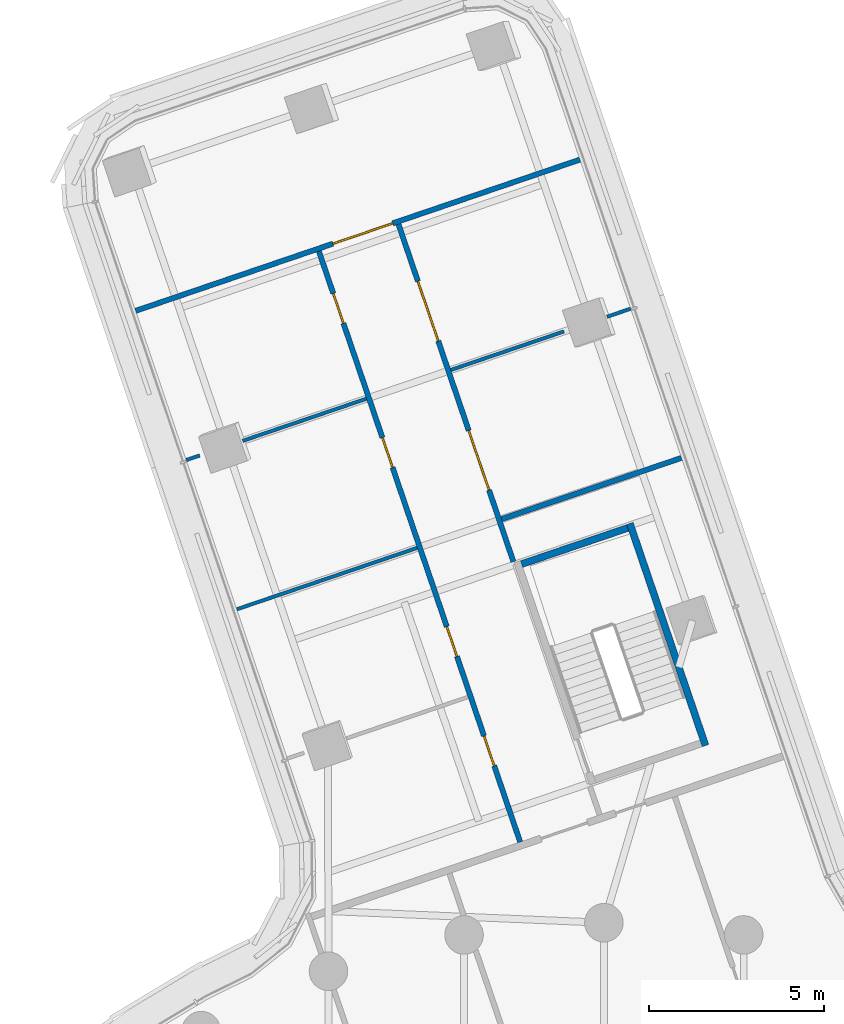
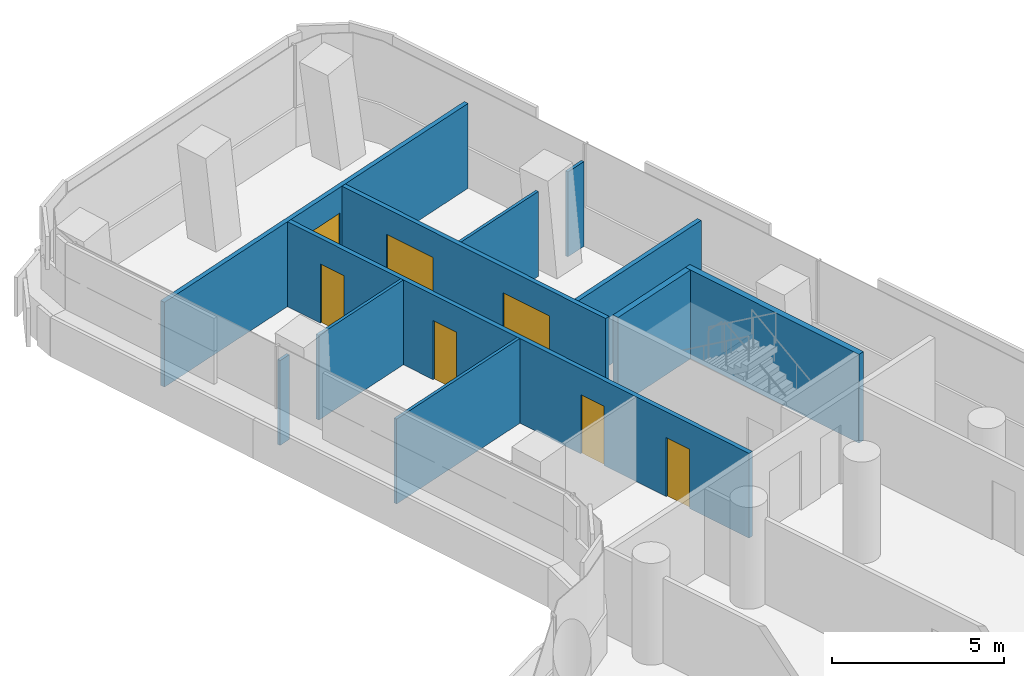
# One storey, part 21 of 29: 11 walls, 7 doors, 7 openings.
"""IFC4 building model written with IfcOpenShell, lengths in metres."""

from ifc_helpers import new_model, si_unit, direction, frame, frame_2d, origin, place, context, subcontext, project, spatial, polyline, rectangle, outline, extrude, material, layer, layer_set, type_object, element, fill, save


model = new_model("IFC4")

# Units and contexts
model_context = context("Model", 3, precision=1e-05, world=origin(), true_north=direction((0.0, 1.0)))
body_context = subcontext(model_context, "Body", "Model", "MODEL_VIEW")
ifc_project = project(units=[si_unit("LENGTHUNIT", "METRE"), si_unit("AREAUNIT", "SQUARE_METRE"), si_unit("VOLUMEUNIT", "CUBIC_METRE"), si_unit("PLANEANGLEUNIT", "RADIAN"), si_unit("MASSUNIT", "GRAM", prefix="KILO")], contexts=[model_context])

# Site, building, storey
site_placement = place(None, origin())
site = spatial("IfcSite", under=ifc_project, at=site_placement, CompositionType="ELEMENT")
building_placement = place(site_placement, origin())
building = spatial("IfcBuilding", under=site, at=building_placement, Name="Tamarind Cross Interchange Tower", CompositionType="ELEMENT")
storey_placement = place(building_placement, frame((0.0, 0.0, 102.25)))
storey = spatial("IfcBuildingStorey", under=building, at=storey_placement, Name="L24", CompositionType="ELEMENT", Elevation=102.25)

# Walls
ifc_material_1 = material(Name="Gypsum board partition on steel studs", Category="steel")
ifc_layer_1 = layer(ifc_material_1, 0.10009765625)
ifc_layer_set_1 = layer_set([ifc_layer_1], Name="Gypsum board partition on steel studs")
wall_type_1 = type_object("IfcWallType", Name="Partition 100 mm EI 90", PredefinedType="PARTITIONING", material=ifc_layer_set_1)
wall_1_placement = place(storey_placement, frame((-11.929443359375, 36.213134765625, 0.0), z_axis=(0.0, 0.0, 1.0), x_axis=(0.946630496697, 0.322320807151, 0.0)))
element("IfcWall", 1, at=wall_1_placement, inside=storey, type_object=wall_type_1, Name="Partition L24-048", PredefinedType="PARTITIONING", context=body_context, shape_type="SweptSolid", body=[
    extrude(rectangle(XDim=0.408203125, YDim=0.10009765625, at=frame_2d((0.2041015625, 0.0))), origin(), (0.0, 0.0, 1.0), 3.010009765625),
])
wall_2_placement = place(storey_placement, frame((-10.315185546875, 36.76318359375, 0.0), z_axis=(0.0, 0.0, 1.0), x_axis=(0.94660826771, 0.322386084537, 0.0)))
element("IfcWall", 2, at=wall_2_placement, inside=storey, type_object=wall_type_1, Name="Partition L24-049", PredefinedType="PARTITIONING", context=body_context, shape_type="SweptSolid", body=[
    extrude(rectangle(XDim=3.73046875, YDim=0.10009765625, at=frame_2d((1.865234375, 0.0))), origin(), (0.0, 0.0, 1.0), 3.010009765625),
])
wall_3_placement = place(storey_placement, frame((-4.370361328125, 38.7880859375, 0.0), z_axis=(0.0, 0.0, 1.0), x_axis=(0.946596993714, 0.322419185987, 0.0)))
element("IfcWall", 3, at=wall_3_placement, inside=storey, type_object=wall_type_1, Name="Partition L24-050", PredefinedType="PARTITIONING", context=body_context, shape_type="SweptSolid", body=[
    extrude(rectangle(XDim=3.4150390625, YDim=0.10009765625, at=frame_2d((1.70751953125, 0.0))), origin(), (0.0, 0.0, 1.0), 3.010009765625),
])
wall_4_placement = place(storey_placement, frame((0.09033203125, 40.307373046875, 0.0), z_axis=(0.0, 0.0, 1.0), x_axis=(0.946605373142, 0.322394583606, 0.0)))
element("IfcWall", 4, at=wall_4_placement, inside=storey, type_object=wall_type_1, Name="Partition L24-051", PredefinedType="PARTITIONING", context=body_context, shape_type="SweptSolid", body=[
    extrude(rectangle(XDim=0.7119140625, YDim=0.10009765625, at=frame_2d((0.35595703125, 0.0))), origin(), (0.0, 0.0, 1.0), 3.010009765625),
])
wall_5_placement = place(storey_placement, frame((-10.485107421875, 31.951416015625, 0.0), z_axis=(0.0, 0.0, 1.0), x_axis=(0.946622533345, 0.322344193935, 0.0)))
element("IfcWall", 5, at=wall_5_placement, inside=storey, type_object=wall_type_1, Name="Partition L24-052", PredefinedType="PARTITIONING", context=body_context, shape_type="SweptSolid", body=[
    extrude(rectangle(XDim=5.442626953125, YDim=0.10009765625, at=frame_2d((2.72119140625, 0.0))), origin(), (0.0, 0.0, 1.0), 3.010009765625),
])

# Wall, openings, doors
ifc_layer_2 = layer(ifc_material_1, 0.14990234375)
ifc_layer_set_2 = layer_set([ifc_layer_2], Name="Gypsum board partition on steel studs")
wall_type_2 = type_object("IfcWallType", Name="Partition 150 mm EI 120", PredefinedType="PARTITIONING", material=ifc_layer_set_2)
wall_6_placement = place(storey_placement, frame((-8.139892578125, 42.177978515625, 0.0), z_axis=(0.0, 0.0, 1.0), x_axis=(0.322499346539, -0.946569686543, 0.0)))
wall_6 = element("IfcWall", 6, at=wall_6_placement, inside=storey, type_object=wall_type_2, Name="Partition L24-009", PredefinedType="PARTITIONING", context=body_context, shape_type="SweptSolid", body=[
    extrude(rectangle(XDim=17.824951171875, YDim=0.14990234375, at=frame_2d((8.91259765625, 0.0))), origin(), (0.0, 0.0, 1.0), 3.010009765625),
])
opening_1_placement = place(wall_6_placement, frame((14.624755859375, 0.0, 0.0)))
opening_1 = element("IfcOpeningElement", 7, at=opening_1_placement, cuts=wall_6, Name="Opening D03", PredefinedType="OPENING", context=body_context, shape_type="SweptSolid", body=[
    extrude(rectangle(XDim=0.89990234375, YDim=2.10009765625, at=frame_2d((0.449951171875, 1.050048828125))), frame((0.0, 0.0849609375, 0.0), z_axis=(0.0, -1.0, 0.0), x_axis=(1.0, 0.0, 0.0)), (0.0, 0.0, 1.0), 0.169921875),
])
opening_2_placement = place(wall_6_placement, frame((11.32470703125, 0.0, 0.0)))
opening_2 = element("IfcOpeningElement", 8, at=opening_2_placement, cuts=wall_6, Name="Opening D04", PredefinedType="OPENING", context=body_context, shape_type="SweptSolid", body=[
    extrude(rectangle(XDim=0.89990234375, YDim=2.10009765625, at=frame_2d((0.449951171875, 1.050048828125))), frame((0.0, 0.0849609375, 0.0), z_axis=(0.0, -1.0, 0.0), x_axis=(1.0, 0.0, 0.0)), (0.0, 0.0, 1.0), 0.169921875),
])
opening_3_placement = place(wall_6_placement, frame((5.62451171875, 0.0, 0.0)))
opening_3 = element("IfcOpeningElement", 9, at=opening_3_placement, cuts=wall_6, Name="Opening D05", PredefinedType="OPENING", context=body_context, shape_type="SweptSolid", body=[
    extrude(rectangle(XDim=0.89990234375, YDim=2.10009765625, at=frame_2d((0.449951171875, 1.050048828125))), frame((0.0, 0.0849609375, 0.0), z_axis=(0.0, -1.0, 0.0), x_axis=(1.0, 0.0, 0.0)), (0.0, 0.0, 1.0), 0.169921875),
])
opening_4_placement = place(wall_6_placement, frame((1.27490234375, 0.0, 0.0)))
opening_4 = element("IfcOpeningElement", 10, at=opening_4_placement, cuts=wall_6, Name="Opening D06", PredefinedType="OPENING", context=body_context, shape_type="SweptSolid", body=[
    extrude(rectangle(XDim=0.89990234375, YDim=2.10009765625, at=frame_2d((0.449951171875, 1.050048828125))), frame((0.0, 0.0849609375, 0.0), z_axis=(0.0, -1.0, 0.0), x_axis=(1.0, 0.0, 0.0)), (0.0, 0.0, 1.0), 0.169921875),
])
ifc_material_2 = material(Name="Fire-resisting door set")
door_type_1 = type_object("IfcDoorType", Name="Interior door 900 x 2100 FD60S", OperationType="SINGLE_SWING_LEFT", PredefinedType="DOOR", material=ifc_material_2)
door_1_placement = place(opening_1_placement, frame((0.89990234375, 0.0, 0.0), z_axis=(0.0, 0.0, 1.0), x_axis=(-1.0, 0.0, 0.0)))
door_1 = element("IfcDoor", 11, at=door_1_placement, inside=storey, type_object=door_type_1, Name="Door D03", OperationType="SINGLE_SWING_RIGHT", OverallHeight=2.10009765625, OverallWidth=0.89990234375, PredefinedType="DOOR", context=body_context, shape_type="SweptSolid", body=[
    extrude(rectangle(XDim=0.89990234375, YDim=2.10009765625, at=frame_2d((0.449951171875, 1.050048828125))), frame((0.0, 0.02490234375, 0.0), z_axis=(0.0, -1.0, 0.0), x_axis=(1.0, 0.0, 0.0)), (0.0, 0.0, 1.0), 0.050048828125),
])
fill(opening_1, door_1)
door_2_placement = place(opening_2_placement, frame((0.89990234375, 0.0, 0.0), z_axis=(0.0, 0.0, 1.0), x_axis=(-1.0, 0.0, 0.0)))
door_2 = element("IfcDoor", 12, at=door_2_placement, inside=storey, type_object=door_type_1, Name="Door D04", OperationType="SINGLE_SWING_RIGHT", OverallHeight=2.10009765625, OverallWidth=0.89990234375, PredefinedType="DOOR", context=body_context, shape_type="SweptSolid", body=[
    extrude(rectangle(XDim=0.89990234375, YDim=2.10009765625, at=frame_2d((0.449951171875, 1.050048828125))), frame((0.0, 0.02490234375, 0.0), z_axis=(0.0, -1.0, 0.0), x_axis=(1.0, 0.0, 0.0)), (0.0, 0.0, 1.0), 0.050048828125),
])
fill(opening_2, door_2)
door_3_placement = place(opening_3_placement, frame((0.89990234375, 0.0, 0.0), z_axis=(0.0, 0.0, 1.0), x_axis=(-1.0, 0.0, 0.0)))
door_3 = element("IfcDoor", 13, at=door_3_placement, inside=storey, type_object=door_type_1, Name="Door D05", OperationType="SINGLE_SWING_LEFT", OverallHeight=2.10009765625, OverallWidth=0.89990234375, PredefinedType="DOOR", context=body_context, shape_type="SweptSolid", body=[
    extrude(rectangle(XDim=0.89990234375, YDim=2.10009765625, at=frame_2d((0.449951171875, 1.050048828125))), frame((0.0, 0.02490234375, 0.0), z_axis=(0.0, -1.0, 0.0), x_axis=(1.0, 0.0, 0.0)), (0.0, 0.0, 1.0), 0.050048828125),
])
fill(opening_3, door_3)
door_4_placement = place(opening_4_placement, frame((0.89990234375, 0.0, 0.0), z_axis=(0.0, 0.0, 1.0), x_axis=(-1.0, 0.0, 0.0)))
door_4 = element("IfcDoor", 14, at=door_4_placement, inside=storey, type_object=door_type_1, Name="Door D06", OperationType="SINGLE_SWING_LEFT", OverallHeight=2.10009765625, OverallWidth=0.89990234375, PredefinedType="DOOR", context=body_context, shape_type="SweptSolid", body=[
    extrude(rectangle(XDim=0.89990234375, YDim=2.10009765625, at=frame_2d((0.449951171875, 1.050048828125))), frame((0.0, 0.02490234375, 0.0), z_axis=(0.0, -1.0, 0.0), x_axis=(1.0, 0.0, 0.0)), (0.0, 0.0, 1.0), 0.050048828125),
])
fill(opening_4, door_4)

wall_7_placement = place(storey_placement, frame((-5.8662109375, 42.947265625, 0.0), z_axis=(0.0, 0.0, 1.0), x_axis=(0.322386797676, -0.946608024836, 0.0)))
wall_7 = element("IfcWall", 15, at=wall_7_placement, inside=storey, type_object=wall_type_2, Name="Partition L24-011", PredefinedType="PARTITIONING", context=body_context, shape_type="SweptSolid", body=[
    extrude(rectangle(XDim=10.18017578125, YDim=0.14990234375, at=frame_2d((5.090087890625, 0.0))), origin(), (0.0, 0.0, 1.0), 3.010009765625),
])
opening_5_placement = place(wall_7_placement, frame((6.22021484375, 0.0, 0.0)))
opening_5 = element("IfcOpeningElement", 16, at=opening_5_placement, cuts=wall_7, Name="Opening D08", PredefinedType="OPENING", context=body_context, shape_type="SweptSolid", body=[
    extrude(rectangle(XDim=1.800048828125, YDim=2.10009765625, at=frame_2d((0.89990234375, 1.050048828125))), frame((0.0, 0.0849609375, 0.0), z_axis=(0.0, -1.0, 0.0), x_axis=(1.0, 0.0, 0.0)), (0.0, 0.0, 1.0), 0.169921875),
])
opening_6_placement = place(wall_7_placement, frame((1.719970703125, 0.0, 0.0)))
opening_6 = element("IfcOpeningElement", 17, at=opening_6_placement, cuts=wall_7, Name="Opening D09", PredefinedType="OPENING", context=body_context, shape_type="SweptSolid", body=[
    extrude(rectangle(XDim=1.800048828125, YDim=2.10009765625, at=frame_2d((0.89990234375, 1.050048828125))), frame((0.0, 0.0849609375, 0.0), z_axis=(0.0, -1.0, 0.0), x_axis=(1.0, 0.0, 0.0)), (0.0, 0.0, 1.0), 0.169921875),
])
door_type_2 = type_object("IfcDoorType", Name="Interior door 1800 x 2100 FD60S", OperationType="DOUBLE_DOOR_SINGLE_SWING", PredefinedType="DOOR", material=ifc_material_2)
door_5_placement = place(opening_5_placement, origin())
door_5 = element("IfcDoor", 18, at=door_5_placement, inside=storey, type_object=door_type_2, Name="Door D08", OperationType="DOUBLE_DOOR_SINGLE_SWING", OverallHeight=2.10009765625, OverallWidth=1.800048828125, PredefinedType="DOOR", context=body_context, shape_type="SweptSolid", body=[
    extrude(rectangle(XDim=1.800048828125, YDim=2.10009765625, at=frame_2d((0.89990234375, 1.050048828125))), frame((0.0, 0.02490234375, 0.0), z_axis=(0.0, -1.0, 0.0), x_axis=(1.0, 0.0, 0.0)), (0.0, 0.0, 1.0), 0.050048828125),
])
fill(opening_5, door_5)
door_6_placement = place(opening_6_placement, origin())
door_6 = element("IfcDoor", 19, at=door_6_placement, inside=storey, type_object=door_type_2, Name="Door D09", OperationType="DOUBLE_DOOR_SINGLE_SWING", OverallHeight=2.10009765625, OverallWidth=1.800048828125, PredefinedType="DOOR", context=body_context, shape_type="SweptSolid", body=[
    extrude(rectangle(XDim=1.800048828125, YDim=2.10009765625, at=frame_2d((0.89990234375, 1.050048828125))), frame((0.0, 0.02490234375, 0.0), z_axis=(0.0, -1.0, 0.0), x_axis=(1.0, 0.0, 0.0)), (0.0, 0.0, 1.0), 0.050048828125),
])
fill(opening_6, door_6)

# Wall, opening, door
wall_8_placement = place(storey_placement, frame((-13.373779296875, 40.475341796875, 0.0), z_axis=(0.0, 0.0, 1.0), x_axis=(0.946641984048, 0.322287067747, 0.0)))
wall_8 = element("IfcWall", 20, at=wall_8_placement, inside=storey, type_object=wall_type_2, Name="Partition L24-047", PredefinedType="PARTITIONING", context=body_context, shape_type="SweptSolid", body=[
    extrude(rectangle(XDim=13.40283203125, YDim=0.14990234375, at=frame_2d((6.701416015625, 0.0))), origin(), (0.0, 0.0, 1.0), 3.010009765625),
])
opening_7_placement = place(wall_8_placement, frame((5.95361328125, 0.0, 0.0)))
opening_7 = element("IfcOpeningElement", 21, at=opening_7_placement, cuts=wall_8, Name="Opening D31", PredefinedType="OPENING", context=body_context, shape_type="SweptSolid", body=[
    extrude(rectangle(XDim=1.800048828125, YDim=2.10009765625, at=frame_2d((0.89990234375, 1.050048828125))), frame((0.0, 0.0849609375, 0.0), z_axis=(0.0, -1.0, 0.0), x_axis=(1.0, 0.0, 0.0)), (0.0, 0.0, 1.0), 0.169921875),
])
door_7_placement = place(opening_7_placement, origin())
door_7 = element("IfcDoor", 22, at=door_7_placement, inside=storey, type_object=door_type_2, Name="Door D31", OperationType="DOUBLE_DOOR_SINGLE_SWING", OverallHeight=2.10009765625, OverallWidth=1.800048828125, PredefinedType="DOOR", context=body_context, shape_type="SweptSolid", body=[
    extrude(rectangle(XDim=1.800048828125, YDim=2.10009765625, at=frame_2d((0.89990234375, 1.050048828125))), frame((0.0, 0.02490234375, 0.0), z_axis=(0.0, -1.0, 0.0), x_axis=(1.0, 0.0, 0.0)), (0.0, 0.0, 1.0), 0.050048828125),
])
fill(opening_7, door_7)

# Walls
wall_9_placement = place(storey_placement, frame((-2.919189453125, 34.52783203125, 0.0), z_axis=(0.0, 0.0, 1.0), x_axis=(0.94662448397, 0.322338465512, 0.0)))
element("IfcWall", 23, at=wall_9_placement, inside=storey, type_object=wall_type_2, Name="Partition L24-053", PredefinedType="PARTITIONING", context=body_context, shape_type="SweptSolid", body=[
    extrude(rectangle(XDim=5.423828125, YDim=0.14990234375, at=frame_2d((2.7119140625, 0.0))), origin(), (0.0, 0.0, 1.0), 3.010009765625),
])
ifc_material_3 = material(Name="Concrete C40", Category="concrete")
ifc_layer_3 = layer(ifc_material_3, 0.199951171875)
ifc_layer_set_3 = layer_set([ifc_layer_3], Name="Concrete C40")
wall_type_3 = type_object("IfcWallType", Name="Stair shaft wall 200 mm Concrete C40", PredefinedType="SHEAR", material=ifc_layer_set_3)
wall_10_placement = place(storey_placement, frame((2.901611328125, 28.058837890625, -0.139892578125), z_axis=(0.0, 0.0, 1.0), x_axis=(-0.322375655092, 0.946611819599, 0.0)))
element("IfcWall", 24, at=wall_10_placement, inside=storey, type_object=wall_type_3, Name="Core wall CWL-L24-ST4-C", PredefinedType="SHEAR", context=body_context, shape_type="SweptSolid", body=[
    extrude(rectangle(XDim=6.699951171875, YDim=0.199951171875, at=frame_2d((3.35009765625, 0.0))), origin(), (0.0, 0.0, 1.0), 3.14990234375),
])
wall_11_placement = place(storey_placement, frame((0.0, 0.0, -0.139892578125)))
element("IfcWall", 25, at=wall_11_placement, inside=storey, type_object=wall_type_3, Name="Core wall CWL-L24-ST4-CF", PredefinedType="SHEAR", context=body_context, shape_type="SweptSolid", body=[
    extrude(outline(polyline([(0.711669921875, 34.1796875), (0.647216796875, 34.368896484375), (-2.382080078125, 33.33740234375), (-2.3173828125, 33.14794921875), (0.711669921875, 34.1796875)])), origin(), (0.0, 0.0, 1.0), 3.14990234375),
])

save(model, "model.ifc")
